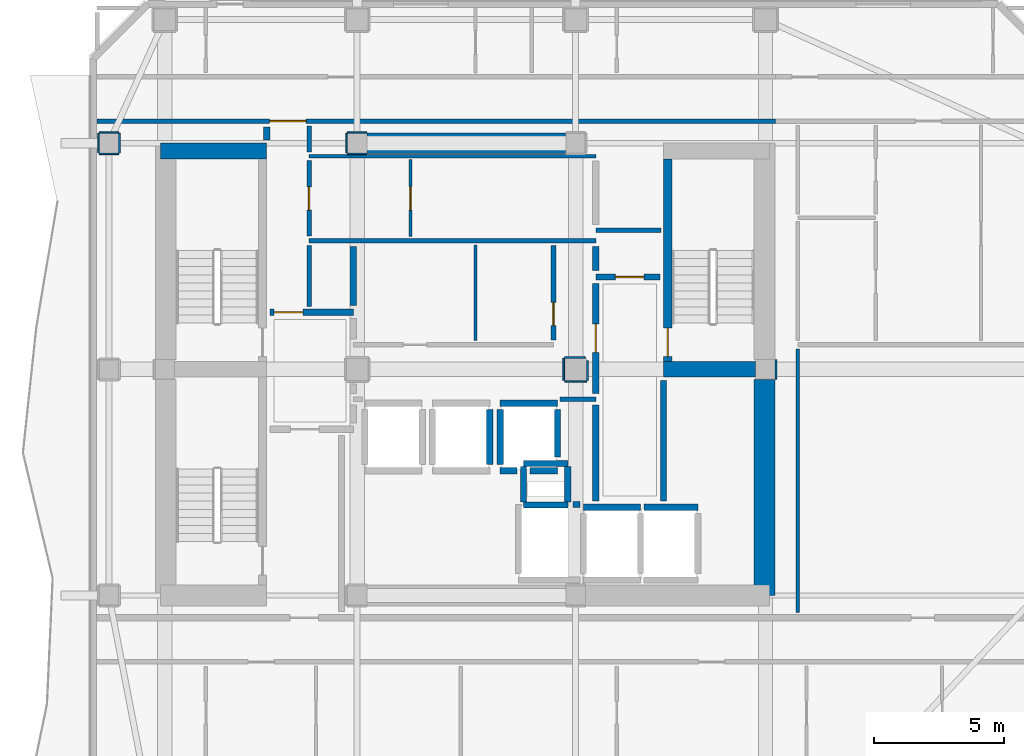
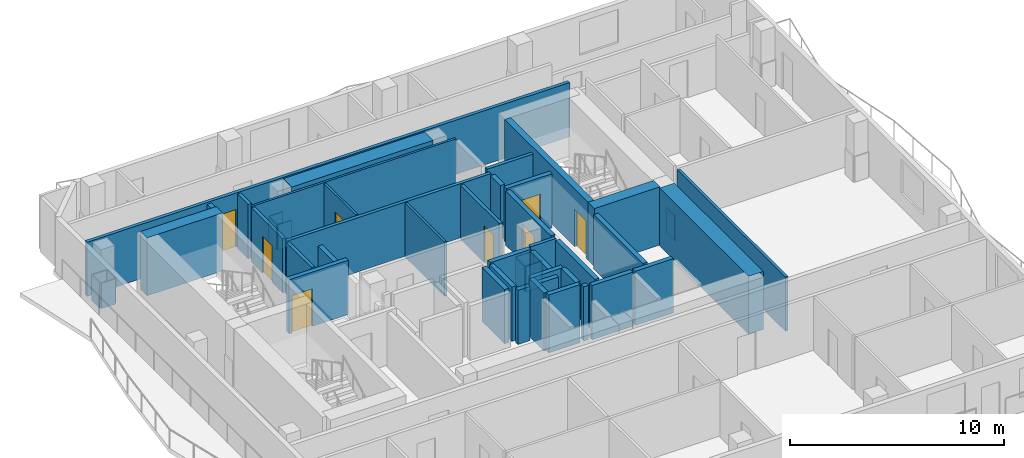
# One storey, part 4 of 9: 50 walls, 8 doors, 8 openings.
"""IFC4 building model written with IfcOpenShell, lengths in metres."""

from ifc_helpers import new_model, si_unit, direction, frame, frame_2d, origin, place, context, subcontext, project, spatial, rectangle, extrude, material, layer, layer_set, type_object, element, fill, save


model = new_model("IFC4")

# Units and contexts
model_context = context("Model", 3, precision=1e-05, world=origin(), true_north=direction((0.0, 1.0)))
body_context = subcontext(model_context, "Body", "Model", "MODEL_VIEW")
ifc_project = project(units=[si_unit("LENGTHUNIT", "METRE"), si_unit("AREAUNIT", "SQUARE_METRE"), si_unit("VOLUMEUNIT", "CUBIC_METRE"), si_unit("PLANEANGLEUNIT", "RADIAN"), si_unit("MASSUNIT", "GRAM", prefix="KILO")], contexts=[model_context])

# Site, building, storey
site_placement = place(None, origin())
site = spatial("IfcSite", under=ifc_project, at=site_placement, CompositionType="ELEMENT")
building_placement = place(site_placement, origin())
building = spatial("IfcBuilding", under=site, at=building_placement, Name="Solanera Arch Residences", CompositionType="ELEMENT")
storey_placement = place(building_placement, frame((0.0, 0.0, 213.39990234375)))
storey = spatial("IfcBuildingStorey", under=building, at=storey_placement, Name="L62", CompositionType="ELEMENT", Elevation=213.39990234375)

# Walls
ifc_material_1 = material(Name="Fire-Rated Gypsum Stud Partition", Category="gypsum")
ifc_layer_1 = layer(ifc_material_1, 0.06005859375)
ifc_layer_set_1 = layer_set([ifc_layer_1], Name="Fire-Rated Gypsum Stud Partition")
wall_type_1 = type_object("IfcWallType", Name="Column Acoustic Furring Wall 60", PredefinedType="PARTITIONING", material=ifc_layer_set_1)
for number, where, z_axis, x_axis, name in (
    (1, (20.425048828125, 38.992919921875, 0.0), (0.0, 0.0, 1.0), (1.0, 0.0, 0.0), "L62 Column Furring 3S"),
    (2, (20.425048828125, 39.806884765625, 0.0), (0.0, 0.0, 1.0), (1.0, 0.0, 0.0), "L62 Column Furring 3N"),
):
    element("IfcWall", number, at=place(storey_placement, frame(where, z_axis=z_axis, x_axis=x_axis)), inside=storey, type_object=wall_type_1, Name=name, PredefinedType="PARTITIONING", context=body_context, shape_type="SweptSolid", body=[
        extrude(rectangle(XDim=0.741943359375, YDim=0.06005859375, at=frame_2d((0.37109375, 0.0))), origin(), (0.0, 0.0, 1.0), 1.4501953125),
    ])
for number, where, z_axis, x_axis, name in (
    (3, (20.39306640625, 39.02490234375, 0.0), (0.0, 0.0, 1.0), (0.0, 1.0, 0.0), "L62 Column Furring 3W"),
    (4, (36.906982421875, 30.324951171875, 0.0), (0.0, 0.0, 1.0), (0.0, 1.0, 0.0), "L62 Column Furring 6E"),
):
    element("IfcWall", number, at=place(storey_placement, frame(where, z_axis=z_axis, x_axis=x_axis)), inside=storey, type_object=wall_type_1, Name=name, PredefinedType="PARTITIONING", context=body_context, shape_type="SweptSolid", body=[
        extrude(rectangle(XDim=0.75, YDim=0.06005859375, at=frame_2d((0.375, 0.0))), origin(), (0.0, 0.0, 1.0), 1.4501953125),
    ])
wall_1_placement = place(storey_placement, frame((28.77490234375, 30.242919921875, 0.0), z_axis=(0.0, 0.0, 1.0), x_axis=(1.0, 0.0, 0.0)))
element("IfcWall", 5, at=wall_1_placement, inside=storey, type_object=wall_type_1, Name="L62 Column Furring 8S", PredefinedType="PARTITIONING", context=body_context, shape_type="SweptSolid", body=[
    extrude(rectangle(XDim=0.85009765625, YDim=0.06005859375, at=frame_2d((0.425048828125, 0.0))), origin(), (0.0, 0.0, 1.0), 1.4501953125),
])
wall_2_placement = place(storey_placement, frame((28.77490234375, 31.156982421875, 0.0), z_axis=(0.0, 0.0, 1.0), x_axis=(1.0, 0.0, 0.0)))
element("IfcWall", 6, at=wall_2_placement, inside=storey, type_object=wall_type_1, Name="L62 Column Furring 8N", PredefinedType="PARTITIONING", context=body_context, shape_type="SweptSolid", body=[
    extrude(rectangle(XDim=0.794189453125, YDim=0.06005859375, at=frame_2d((0.39697265625, 0.0))), origin(), (0.0, 0.0, 1.0), 1.4501953125),
])
wall_3_placement = place(storey_placement, frame((28.742919921875, 30.27490234375, 0.0), z_axis=(0.0, 0.0, 1.0), x_axis=(0.0, 1.0, 0.0)))
element("IfcWall", 7, at=wall_3_placement, inside=storey, type_object=wall_type_1, Name="L62 Column Furring 8W", PredefinedType="PARTITIONING", context=body_context, shape_type="SweptSolid", body=[
    extrude(rectangle(XDim=0.85009765625, YDim=0.06005859375, at=frame_2d((0.425048828125, 0.0))), origin(), (0.0, 0.0, 1.0), 1.4501953125),
])
wall_4_placement = place(storey_placement, frame((29.656982421875, 30.27490234375, 0.0), z_axis=(0.0, 0.0, 1.0), x_axis=(0.0, 1.0, 0.0)))
element("IfcWall", 8, at=wall_4_placement, inside=storey, type_object=wall_type_1, Name="L62 Column Furring 8E", PredefinedType="PARTITIONING", context=body_context, shape_type="SweptSolid", body=[
    extrude(rectangle(XDim=0.757080078125, YDim=0.06005859375, at=frame_2d((0.37841796875, 0.0))), origin(), (0.0, 0.0, 1.0), 1.4501953125),
])
for number, where, z_axis, x_axis, name in (
    (9, (10.875, 38.992919921875, 0.0), (0.0, 0.0, 1.0), (1.0, 0.0, 0.0), "L62 Column Furring 21S"),
    (10, (10.875, 39.806884765625, 0.0), (0.0, 0.0, 1.0), (1.0, 0.0, 0.0), "L62 Column Furring 21N"),
    (11, (10.843017578125, 39.02490234375, 0.0), (0.0, 0.0, 1.0), (0.0, 1.0, 0.0), "L62 Column Furring 21W"),
    (12, (11.656982421875, 39.02490234375, 0.0), (0.0, 0.0, 1.0), (0.0, 1.0, 0.0), "L62 Column Furring 21E"),
):
    element("IfcWall", number, at=place(storey_placement, frame(where, z_axis=z_axis, x_axis=x_axis)), inside=storey, type_object=wall_type_1, Name=name, PredefinedType="PARTITIONING", context=body_context, shape_type="SweptSolid", body=[
        extrude(rectangle(XDim=0.75, YDim=0.06005859375, at=frame_2d((0.375, 0.0))), origin(), (0.0, 0.0, 1.0), 1.4501953125),
    ])

# Wall, opening, door
ifc_material_2 = material(Name="Concrete C40/50 (f'c = 45 MPa)", Category="concrete")
ifc_layer_2 = layer(ifc_material_2, 0.320068359375)
ifc_layer_set_2 = layer_set([ifc_layer_2], Name="Concrete C40/50 (f'c = 45 MPa)")
wall_type_2 = type_object("IfcWallType", Name="Core Shear Wall CW-320", PredefinedType="SHEAR", material=ifc_layer_set_2)
wall_5_placement = place(storey_placement, frame((32.739990234375, 31.0, 0.0), z_axis=(0.0, 0.0, 1.0), x_axis=(0.0, 1.0, 0.0)))
wall_5 = element("IfcWall", 13, at=wall_5_placement, inside=storey, type_object=wall_type_2, Name="L62 Stair ST-T2 West Shear Wall", PredefinedType="SHEAR", context=body_context, shape_type="SweptSolid", body=[
    extrude(rectangle(XDim=7.800048828125, YDim=0.320068359375, at=frame_2d((3.89990234375, 0.0))), origin(), (0.0, 0.0, 1.0), 3.320068359375),
])
opening_1_placement = place(wall_5_placement, frame((0.18994140625, 0.0, 0.0)))
opening_1 = element("IfcOpeningElement", 14, at=opening_1_placement, cuts=wall_5, Name="Opening DF-01", PredefinedType="OPENING", context=body_context, shape_type="SweptSolid", body=[
    extrude(rectangle(XDim=1.10009765625, YDim=2.14990234375, at=frame_2d((0.550048828125, 1.074951171875))), frame((0.0, 0.169921875, 0.0), z_axis=(0.0, -1.0, 0.0), x_axis=(1.0, 0.0, 0.0)), (0.0, 0.0, 1.0), 0.3401),
])
ifc_material_3 = material(Name="Fire-Rated Architectural Hardwood", Category="wood")
door_type_1 = type_object("IfcDoorType", Name="Stair Exit Fire Door DF-01", OperationType="NOTDEFINED", PredefinedType="DOOR", material=ifc_material_3)
door_1_placement = place(opening_1_placement, origin())
door_1 = element("IfcDoor", 15, at=door_1_placement, inside=storey, type_object=door_type_1, Name="DR-L62-STAIR-ST-T2", OperationType="SINGLE_SWING_LEFT", OverallHeight=2.14990234375, OverallWidth=1.10009765625, PredefinedType="DOOR", context=body_context, shape_type="SweptSolid", body=[
    extrude(rectangle(XDim=1.10009765625, YDim=2.14990234375, at=frame_2d((0.550048828125, 1.074951171875))), frame((0.0, 0.02490234375, 0.0), z_axis=(0.0, -1.0, 0.0), x_axis=(1.0, 0.0, 0.0)), (0.0, 0.0, 1.0), 0.050048828125),
])
fill(opening_1, door_1)

# Walls
ifc_material_4 = material(Name="Concrete C40/50 (f'c = 45 MPa)", Category="concrete")
ifc_layer_3 = layer(ifc_material_4, 0.60009765625)
ifc_layer_set_3 = layer_set([ifc_layer_3], Name="Concrete C40/50 (f'c = 45 MPa)")
wall_type_3 = type_object("IfcWallType", Name="Core Shear Wall CW-600", PredefinedType="SHEAR", material=ifc_layer_set_3)
wall_6_placement = place(storey_placement, frame((13.239990234375, 39.10009765625, 0.0), z_axis=(0.0, 0.0, 1.0), x_axis=(1.0, 0.0, 0.0)))
element("IfcWall", 16, at=wall_6_placement, inside=storey, type_object=wall_type_3, Name="L62 North-West Core Shear Wall", PredefinedType="SHEAR", context=body_context, shape_type="SweptSolid", body=[
    extrude(rectangle(XDim=4.080078125, YDim=0.60009765625, at=frame_2d((2.0400390625, 0.0))), origin(), (0.0, 0.0, 1.0), 3.320068359375),
])
wall_7_placement = place(storey_placement, frame((32.580078125, 30.699951171875, 0.0), z_axis=(0.0, 0.0, 1.0), x_axis=(1.0, 0.0, 0.0)))
element("IfcWall", 17, at=wall_7_placement, inside=storey, type_object=wall_type_3, Name="L62 East Stair Far-Landing Shear Wall", PredefinedType="SHEAR", context=body_context, shape_type="SweptSolid", body=[
    extrude(rectangle(XDim=3.5400390625, YDim=0.60009765625, at=frame_2d((1.77001953125, 0.0))), origin(), (0.0, 0.0, 1.0), 3.320068359375),
])
ifc_material_5 = material(Name="Concrete C40/50 (f'c = 45 MPa)", Category="concrete")
ifc_layer_4 = layer(ifc_material_5, 0.800048828125)
ifc_layer_set_4 = layer_set([ifc_layer_4], Name="Concrete C40/50 (f'c = 45 MPa)")
wall_type_4 = type_object("IfcWallType", Name="Core Shear Wall CW-800", PredefinedType="SHEAR", material=ifc_layer_set_4)
wall_8_placement = place(storey_placement, frame((36.4599609375, 22.0, 0.0), z_axis=(0.0, 0.0, 1.0), x_axis=(0.0, 1.0, 0.0)))
element("IfcWall", 18, at=wall_8_placement, inside=storey, type_object=wall_type_4, Name="L62 East Core South Shear Wall", PredefinedType="SHEAR", context=body_context, shape_type="SweptSolid", body=[
    extrude(rectangle(XDim=8.320068359375, YDim=0.800048828125, at=frame_2d((4.16015625, 0.0))), origin(), (0.0, 0.0, 1.0), 3.320068359375),
])
wall_9_placement = place(storey_placement, frame((21.179931640625, 39.39990234375, 0.0), z_axis=(0.0, 0.0, 1.0), x_axis=(1.0, 0.0, 0.0)))
element("IfcWall", 19, at=wall_9_placement, inside=storey, type_object=wall_type_4, Name="L62 Central North Core Shear Wall", PredefinedType="SHEAR", context=body_context, shape_type="SweptSolid", body=[
    extrude(rectangle(XDim=7.64013671875, YDim=0.800048828125, at=frame_2d((3.820068359375, 0.0))), origin(), (0.0, 0.0, 1.0), 3.320068359375),
])
ifc_material_6 = material(Name="Autoclaved Aerated Concrete Blockwork", Category="masonry")
ifc_layer_5 = layer(ifc_material_6, 0.179931640625)
ifc_layer_set_5 = layer_set([ifc_layer_5], Name="Autoclaved Aerated Concrete Blockwork")
wall_type_5 = type_object("IfcWallType", Name="Corridor Fire Partition 180", PredefinedType="PARTITIONING", material=ifc_layer_set_5)
wall_10_placement = place(storey_placement, frame((28.593017578125, 29.550048828125, 0.0), z_axis=(0.0, 0.0, 1.0), x_axis=(1.0, 0.0, 0.0)))
element("IfcWall", 20, at=wall_10_placement, inside=storey, type_object=wall_type_5, Name="L62 Interior Partition H7 2", PredefinedType="PARTITIONING", context=body_context, shape_type="SweptSolid", body=[
    extrude(rectangle(XDim=1.382080078125, YDim=0.179931640625, at=frame_2d((0.69091796875, 0.0))), origin(), (0.0, 0.0, 1.0), 3.10009765625),
])
wall_11_placement = place(storey_placement, frame((18.949951171875, 35.64990234375, 0.0), z_axis=(0.0, 0.0, 1.0), x_axis=(1.0, 0.0, 0.0)))
element("IfcWall", 21, at=wall_11_placement, inside=storey, type_object=wall_type_5, Name="L62 Interior Partition H10", PredefinedType="PARTITIONING", context=body_context, shape_type="SweptSolid", body=[
    extrude(rectangle(XDim=11.025146484375, YDim=0.179931640625, at=frame_2d((5.5126953125, 0.0))), origin(), (0.0, 0.0, 1.0), 3.10009765625),
])
wall_12_placement = place(storey_placement, frame((29.97509765625, 36.050048828125, 0.0), z_axis=(0.0, 0.0, 1.0), x_axis=(1.0, 0.0, 0.0)))
element("IfcWall", 22, at=wall_12_placement, inside=storey, type_object=wall_type_5, Name="L62 Interior Partition H11", PredefinedType="PARTITIONING", context=body_context, shape_type="SweptSolid", body=[
    extrude(rectangle(XDim=2.5048828125, YDim=0.179931640625, at=frame_2d((1.25244140625, 0.0))), origin(), (0.0, 0.0, 1.0), 3.10009765625),
])

# Wall, opening, door
wall_13_placement = place(storey_placement, frame((10.787109375, 40.25, 0.0), z_axis=(0.0, 0.0, 1.0), x_axis=(1.0, 0.0, 0.0)))
wall_13 = element("IfcWall", 23, at=wall_13_placement, inside=storey, type_object=wall_type_5, Name="L62 Interior Partition H12 1", PredefinedType="PARTITIONING", context=body_context, shape_type="SweptSolid", body=[
    extrude(rectangle(XDim=26.101806640625, YDim=0.179931640625, at=frame_2d((13.05078125, 0.0))), origin(), (0.0, 0.0, 1.0), 3.10009765625),
])
opening_2_placement = place(wall_13_placement, frame((6.64794921875, 0.0, 0.0)))
opening_2 = element("IfcOpeningElement", 24, at=opening_2_placement, cuts=wall_13, Name="Opening DF-03", PredefinedType="OPENING", context=body_context, shape_type="SweptSolid", body=[
    extrude(rectangle(XDim=1.39990234375, YDim=2.14990234375, at=frame_2d((0.699951171875, 1.074951171875))), frame((0.0, 0.10009765625, 0.0), z_axis=(0.0, -1.0, 0.0), x_axis=(1.0, 0.0, 0.0)), (0.0, 0.0, 1.0), 0.1999),
])
ifc_material_7 = material(Name="Fire-Rated Architectural Hardwood", Category="wood")
door_type_2 = type_object("IfcDoorType", Name="Corridor Smoke Door DF-03", OperationType="NOTDEFINED", PredefinedType="DOOR", material=ifc_material_7)
door_2_placement = place(opening_2_placement, origin())
door_2 = element("IfcDoor", 25, at=door_2_placement, inside=storey, type_object=door_type_2, Name="DR-L62-IN-009", OperationType="SINGLE_SWING_RIGHT", OverallHeight=2.14990234375, OverallWidth=1.39990234375, PredefinedType="DOOR", context=body_context, shape_type="SweptSolid", body=[
    extrude(rectangle(XDim=1.39990234375, YDim=2.14990234375, at=frame_2d((0.699951171875, 1.074951171875))), frame((0.0, 0.02490234375, 0.0), z_axis=(0.0, -1.0, 0.0), x_axis=(1.0, 0.0, 0.0)), (0.0, 0.0, 1.0), 0.050048828125),
])
fill(opening_2, door_2)

# Wall
wall_14_placement = place(storey_placement, frame((18.949951171875, 33.117919921875, 0.0), z_axis=(0.0, 0.0, 1.0), x_axis=(0.0, 1.0, 0.0)))
element("IfcWall", 26, at=wall_14_placement, inside=storey, type_object=wall_type_5, Name="L62 Interior Partition V8 1", PredefinedType="PARTITIONING", context=body_context, shape_type="SweptSolid", body=[
    extrude(rectangle(XDim=2.343994140625, YDim=0.179931640625, at=frame_2d((1.171875, 0.0))), origin(), (0.0, 0.0, 1.0), 3.10009765625),
])

# Wall, opening, door
wall_15_placement = place(storey_placement, frame((18.949951171875, 35.837890625, 0.0), z_axis=(0.0, 0.0, 1.0), x_axis=(0.0, 1.0, 0.0)))
wall_15 = element("IfcWall", 27, at=wall_15_placement, inside=storey, type_object=wall_type_5, Name="L62 Interior Partition V8 2", PredefinedType="PARTITIONING", context=body_context, shape_type="SweptSolid", body=[
    extrude(rectangle(XDim=2.904052734375, YDim=0.179931640625, at=frame_2d((1.4521484375, 0.0))), origin(), (0.0, 0.0, 1.0), 3.10009765625),
])
opening_3_placement = place(wall_15_placement, frame((0.987060546875, 0.0, 0.0)))
opening_3 = element("IfcOpeningElement", 28, at=opening_3_placement, cuts=wall_15, Name="Opening DI-02", PredefinedType="OPENING", context=body_context, shape_type="SweptSolid", body=[
    extrude(rectangle(XDim=0.89990234375, YDim=2.10009765625, at=frame_2d((0.449951171875, 1.050048828125))), frame((0.0, 0.10009765625, 0.0), z_axis=(0.0, -1.0, 0.0), x_axis=(1.0, 0.0, 0.0)), (0.0, 0.0, 1.0), 0.1999),
])
ifc_material_8 = material(Name="Fire-Rated Architectural Hardwood", Category="wood")
door_type_3 = type_object("IfcDoorType", Name="Suite Room Swing Door DI-02", OperationType="NOTDEFINED", PredefinedType="DOOR", material=ifc_material_8)
door_3_placement = place(opening_3_placement, origin())
door_3 = element("IfcDoor", 29, at=door_3_placement, inside=storey, type_object=door_type_3, Name="DR-L62-IN-010", OperationType="SINGLE_SWING_LEFT", OverallHeight=2.10009765625, OverallWidth=0.89990234375, PredefinedType="DOOR", context=body_context, shape_type="SweptSolid", body=[
    extrude(rectangle(XDim=0.89990234375, YDim=2.10009765625, at=frame_2d((0.449951171875, 1.050048828125))), frame((0.0, 0.02490234375, 0.0), z_axis=(0.0, -1.0, 0.0), x_axis=(1.0, 0.0, 0.0)), (0.0, 0.0, 1.0), 0.050048828125),
])
fill(opening_3, door_3)

# Wall
wall_16_placement = place(storey_placement, frame((18.949951171875, 39.05810546875, 0.0), z_axis=(0.0, 0.0, 1.0), x_axis=(0.0, 1.0, 0.0)))
element("IfcWall", 30, at=wall_16_placement, inside=storey, type_object=wall_type_5, Name="L62 Interior Partition V8 3", PredefinedType="PARTITIONING", context=body_context, shape_type="SweptSolid", body=[
    extrude(rectangle(XDim=1.00390625, YDim=0.179931640625, at=frame_2d((0.501953125, 0.0))), origin(), (0.0, 0.0, 1.0), 3.10009765625),
])

# Wall, opening, door
wall_17_placement = place(storey_placement, frame((28.35009765625, 31.837890625, 0.0), z_axis=(0.0, 0.0, 1.0), x_axis=(0.0, 1.0, 0.0)))
wall_17 = element("IfcWall", 31, at=wall_17_placement, inside=storey, type_object=wall_type_5, Name="L62 Interior Partition V9", PredefinedType="PARTITIONING", context=body_context, shape_type="SweptSolid", body=[
    extrude(rectangle(XDim=3.6240234375, YDim=0.179931640625, at=frame_2d((1.81201171875, 0.0))), origin(), (0.0, 0.0, 1.0), 3.10009765625),
])
opening_4_placement = place(wall_17_placement, frame((0.541015625, 0.0, 0.0)))
opening_4 = element("IfcOpeningElement", 32, at=opening_4_placement, cuts=wall_17, Name="Opening DI-02", PredefinedType="OPENING", context=body_context, shape_type="SweptSolid", body=[
    extrude(rectangle(XDim=0.89990234375, YDim=2.10009765625, at=frame_2d((0.449951171875, 1.050048828125))), frame((0.0, 0.10009765625, 0.0), z_axis=(0.0, -1.0, 0.0), x_axis=(1.0, 0.0, 0.0)), (0.0, 0.0, 1.0), 0.1999),
])
door_4_placement = place(opening_4_placement, origin())
door_4 = element("IfcDoor", 33, at=door_4_placement, inside=storey, type_object=door_type_3, Name="DR-L62-IN-013", OperationType="SINGLE_SWING_RIGHT", OverallHeight=2.10009765625, OverallWidth=0.89990234375, PredefinedType="DOOR", context=body_context, shape_type="SweptSolid", body=[
    extrude(rectangle(XDim=0.89990234375, YDim=2.10009765625, at=frame_2d((0.449951171875, 1.050048828125))), frame((0.0, 0.02490234375, 0.0), z_axis=(0.0, -1.0, 0.0), x_axis=(1.0, 0.0, 0.0)), (0.0, 0.0, 1.0), 0.050048828125),
])
fill(opening_4, door_4)

# Walls
ifc_material_9 = material(Name="Concrete C40/50 (f'c = 45 MPa)", Category="concrete")
ifc_layer_6 = layer(ifc_material_9, 0.239990234375)
ifc_layer_set_6 = layer_set([ifc_layer_6], Name="Concrete C40/50 (f'c = 45 MPa)")
wall_type_6 = type_object("IfcWallType", Name="Ramp Bearing Shear Wall RW-240", PredefinedType="SHEAR", material=ifc_layer_set_6)
for number, where, z_axis, x_axis, name in (
    (34, (27.199951171875, 25.47998046875, 0.0), (0.0, 0.0, 1.0), (1.0, 0.0, 0.0), "L62 Core MEP Riser South Shaft Wall"),
    (35, (27.199951171875, 27.080078125, 0.0), (0.0, 0.0, 1.0), (1.0, 0.0, 0.0), "L62 Core MEP Riser North Shaft Wall"),
):
    element("IfcWall", number, at=place(storey_placement, frame(where, z_axis=z_axis, x_axis=x_axis)), inside=storey, type_object=wall_type_6, Name=name, PredefinedType="SHEAR", context=body_context, shape_type="SweptSolid", body=[
        extrude(rectangle(XDim=1.699951171875, YDim=0.239990234375, at=frame_2d((0.85009765625, 0.0))), origin(), (0.0, 0.0, 1.0), 3.320068359375),
    ])
for number, where, z_axis, x_axis, name in (
    (36, (27.199951171875, 25.60009765625, 0.0), (0.0, 0.0, 1.0), (0.0, 1.0, 0.0), "L62 Core MEP Riser West Shaft Wall"),
    (37, (28.89990234375, 25.60009765625, 0.0), (0.0, 0.0, 1.0), (0.0, 1.0, 0.0), "L62 Core MEP Riser East Shaft Wall"),
):
    element("IfcWall", number, at=place(storey_placement, frame(where, z_axis=z_axis, x_axis=x_axis)), inside=storey, type_object=wall_type_6, Name=name, PredefinedType="SHEAR", context=body_context, shape_type="SweptSolid", body=[
        extrude(rectangle(XDim=1.35986328125, YDim=0.239990234375, at=frame_2d((0.679931640625, 0.0))), origin(), (0.0, 0.0, 1.0), 3.320068359375),
    ])
ifc_material_10 = material(Name="Autoclaved Aerated Concrete Blockwork", Category="masonry")
ifc_layer_7 = layer(ifc_material_10, 0.239990234375)
ifc_layer_set_7 = layer_set([ifc_layer_7], Name="Autoclaved Aerated Concrete Blockwork")
wall_type_7 = type_object("IfcWallType", Name="Shaft Wall Fire-Rated 240", PredefinedType="PARTITIONING", material=ifc_layer_set_7)
wall_18_placement = place(storey_placement, frame((25.89990234375, 27.048095703125, 0.0), z_axis=(0.0, 0.0, 1.0), x_axis=(0.0, 1.0, 0.0)))
element("IfcWall", 38, at=wall_18_placement, inside=storey, type_object=wall_type_7, Name="L62 Lift PL-H2 Hoistway Wall E", PredefinedType="PARTITIONING", context=body_context, shape_type="SweptSolid", body=[
    extrude(rectangle(XDim=2.10400390625, YDim=0.239990234375, at=frame_2d((1.052001953125, 0.0))), origin(), (0.0, 0.0, 1.0), 3.10009765625),
])
wall_19_placement = place(storey_placement, frame((26.300048828125, 26.800048828125, 0.0), z_axis=(0.0, 0.0, 1.0), x_axis=(1.0, 0.0, 0.0)))
element("IfcWall", 39, at=wall_19_placement, inside=storey, type_object=wall_type_7, Name="L62 Lift PL-H3 Hoistway Wall S 1", PredefinedType="PARTITIONING", context=body_context, shape_type="SweptSolid", body=[
    extrude(rectangle(XDim=0.64990234375, YDim=0.239990234375, at=frame_2d((0.324951171875, 0.0))), origin(), (0.0, 0.0, 1.0), 3.10009765625),
])
wall_20_placement = place(storey_placement, frame((27.449951171875, 26.800048828125, 0.0), z_axis=(0.0, 0.0, 1.0), x_axis=(1.0, 0.0, 0.0)))
element("IfcWall", 40, at=wall_20_placement, inside=storey, type_object=wall_type_7, Name="L62 Lift PL-H3 Hoistway Wall S 2", PredefinedType="PARTITIONING", context=body_context, shape_type="SweptSolid", body=[
    extrude(rectangle(XDim=1.050048828125, YDim=0.239990234375, at=frame_2d((0.52490234375, 0.0))), origin(), (0.0, 0.0, 1.0), 3.10009765625),
])
wall_21_placement = place(storey_placement, frame((26.300048828125, 29.39990234375, 0.0), z_axis=(0.0, 0.0, 1.0), x_axis=(1.0, 0.0, 0.0)))
element("IfcWall", 41, at=wall_21_placement, inside=storey, type_object=wall_type_7, Name="L62 Lift PL-H3 Hoistway Wall N", PredefinedType="PARTITIONING", context=body_context, shape_type="SweptSolid", body=[
    extrude(rectangle(XDim=2.199951171875, YDim=0.239990234375, at=frame_2d((1.10009765625, 0.0))), origin(), (0.0, 0.0, 1.0), 3.10009765625),
])
wall_22_placement = place(storey_placement, frame((26.300048828125, 27.048095703125, 0.0), z_axis=(0.0, 0.0, 1.0), x_axis=(0.0, 1.0, 0.0)))
element("IfcWall", 42, at=wall_22_placement, inside=storey, type_object=wall_type_7, Name="L62 Lift PL-H3 Hoistway Wall W", PredefinedType="PARTITIONING", context=body_context, shape_type="SweptSolid", body=[
    extrude(rectangle(XDim=2.10400390625, YDim=0.239990234375, at=frame_2d((1.052001953125, 0.0))), origin(), (0.0, 0.0, 1.0), 3.10009765625),
])
wall_23_placement = place(storey_placement, frame((28.5, 27.330078125, 0.0), z_axis=(0.0, 0.0, 1.0), x_axis=(0.0, 1.0, 0.0)))
element("IfcWall", 43, at=wall_23_placement, inside=storey, type_object=wall_type_7, Name="L62 Lift PL-H3 Hoistway Wall E", PredefinedType="PARTITIONING", context=body_context, shape_type="SweptSolid", body=[
    extrude(rectangle(XDim=1.822021484375, YDim=0.239990234375, at=frame_2d((0.9111328125, 0.0))), origin(), (0.0, 0.0, 1.0), 3.10009765625),
])
wall_24_placement = place(storey_placement, frame((29.5, 25.39990234375, 0.0), z_axis=(0.0, 0.0, 1.0), x_axis=(1.0, 0.0, 0.0)))
element("IfcWall", 44, at=wall_24_placement, inside=storey, type_object=wall_type_7, Name="L62 Lift FFL-1 Hoistway Wall N", PredefinedType="PARTITIONING", context=body_context, shape_type="SweptSolid", body=[
    extrude(rectangle(XDim=2.199951171875, YDim=0.239990234375, at=frame_2d((1.10009765625, 0.0))), origin(), (0.0, 0.0, 1.0), 3.10009765625),
])
wall_25_placement = place(storey_placement, frame((31.827880859375, 25.39990234375, 0.0), z_axis=(0.0, 0.0, 1.0), x_axis=(1.0, 0.0, 0.0)))
element("IfcWall", 45, at=wall_25_placement, inside=storey, type_object=wall_type_7, Name="L62 Lift FFL-2 Hoistway Wall N", PredefinedType="PARTITIONING", context=body_context, shape_type="SweptSolid", body=[
    extrude(rectangle(XDim=2.072021484375, YDim=0.239990234375, at=frame_2d((1.0361328125, 0.0))), origin(), (0.0, 0.0, 1.0), 3.10009765625),
])
wall_26_placement = place(storey_placement, frame((29.10302734375, 25.5, 0.0), z_axis=(0.0, 0.0, 1.0), x_axis=(1.0, 0.0, 0.0)))
element("IfcWall", 46, at=wall_26_placement, inside=storey, type_object=wall_type_7, Name="L62 Lift SVL-1 Hoistway Wall N", PredefinedType="PARTITIONING", context=body_context, shape_type="SweptSolid", body=[
    extrude(rectangle(XDim=0.26904296875, YDim=0.239990234375, at=frame_2d((0.134521484375, 0.0))), origin(), (0.0, 0.0, 1.0), 3.10009765625),
])

# Wall, opening, door
wall_27_placement = place(storey_placement, frame((17.449951171875, 32.89990234375, 0.0), z_axis=(0.0, 0.0, 1.0), x_axis=(1.0, 0.0, 0.0)))
wall_27 = element("IfcWall", 47, at=wall_27_placement, inside=storey, type_object=wall_type_7, Name="L62 Interior Partition H4", PredefinedType="PARTITIONING", context=body_context, shape_type="SweptSolid", body=[
    extrude(rectangle(XDim=3.199951171875, YDim=0.239990234375, at=frame_2d((1.60009765625, 0.0))), origin(), (0.0, 0.0, 1.0), 3.10009765625),
])
opening_5_placement = place(wall_27_placement, frame((0.158935546875, 0.0, 0.0)))
opening_5 = element("IfcOpeningElement", 48, at=opening_5_placement, cuts=wall_27, Name="Opening DF-02", PredefinedType="OPENING", context=body_context, shape_type="SweptSolid", body=[
    extrude(rectangle(XDim=1.10009765625, YDim=2.14990234375, at=frame_2d((0.550048828125, 1.074951171875))), frame((0.0, 0.1298828125, 0.0), z_axis=(0.0, -1.0, 0.0), x_axis=(1.0, 0.0, 0.0)), (0.0, 0.0, 1.0), 0.26),
])
ifc_material_11 = material(Name="Fire-Rated Architectural Hardwood", Category="wood")
door_type_4 = type_object("IfcDoorType", Name="Firefighting Lobby Fire Door DF-02", OperationType="NOTDEFINED", PredefinedType="DOOR", material=ifc_material_11)
door_5_placement = place(opening_5_placement, origin())
door_5 = element("IfcDoor", 49, at=door_5_placement, inside=storey, type_object=door_type_4, Name="DR-L62-IN-005", OperationType="SINGLE_SWING_RIGHT", OverallHeight=2.14990234375, OverallWidth=1.10009765625, PredefinedType="DOOR", context=body_context, shape_type="SweptSolid", body=[
    extrude(rectangle(XDim=1.10009765625, YDim=2.14990234375, at=frame_2d((0.550048828125, 1.074951171875))), frame((0.0, 0.02490234375, 0.0), z_axis=(0.0, -1.0, 0.0), x_axis=(1.0, 0.0, 0.0)), (0.0, 0.0, 1.0), 0.050048828125),
])
fill(opening_5, door_5)

wall_28_placement = place(storey_placement, frame((29.97509765625, 34.25, 0.0), z_axis=(0.0, 0.0, 1.0), x_axis=(1.0, 0.0, 0.0)))
wall_28 = element("IfcWall", 50, at=wall_28_placement, inside=storey, type_object=wall_type_7, Name="L62 Interior Partition H5", PredefinedType="PARTITIONING", context=body_context, shape_type="SweptSolid", body=[
    extrude(rectangle(XDim=2.474853515625, YDim=0.239990234375, at=frame_2d((1.2373046875, 0.0))), origin(), (0.0, 0.0, 1.0), 3.10009765625),
])
opening_6_placement = place(wall_28_placement, frame((0.751953125, 0.0, 0.0)))
opening_6 = element("IfcOpeningElement", 51, at=opening_6_placement, cuts=wall_28, Name="Opening DF-02", PredefinedType="OPENING", context=body_context, shape_type="SweptSolid", body=[
    extrude(rectangle(XDim=1.10009765625, YDim=2.14990234375, at=frame_2d((0.550048828125, 1.074951171875))), frame((0.0, 0.1298828125, 0.0), z_axis=(0.0, -1.0, 0.0), x_axis=(1.0, 0.0, 0.0)), (0.0, 0.0, 1.0), 0.26),
])
door_6_placement = place(opening_6_placement, origin())
door_6 = element("IfcDoor", 52, at=door_6_placement, inside=storey, type_object=door_type_4, Name="DR-L62-IN-007", OperationType="SINGLE_SWING_RIGHT", OverallHeight=2.14990234375, OverallWidth=1.10009765625, PredefinedType="DOOR", context=body_context, shape_type="SweptSolid", body=[
    extrude(rectangle(XDim=1.10009765625, YDim=2.14990234375, at=frame_2d((0.550048828125, 1.074951171875))), frame((0.0, 0.02490234375, 0.0), z_axis=(0.0, -1.0, 0.0), x_axis=(1.0, 0.0, 0.0)), (0.0, 0.0, 1.0), 0.050048828125),
])
fill(opening_6, door_6)

# Walls
wall_29_placement = place(storey_placement, frame((17.320068359375, 39.530029296875, 0.0), z_axis=(0.0, 0.0, 1.0), x_axis=(0.0, 1.0, 0.0)))
element("IfcWall", 53, at=wall_29_placement, inside=storey, type_object=wall_type_7, Name="L62 Interior Partition V1", PredefinedType="PARTITIONING", context=body_context, shape_type="SweptSolid", body=[
    extrude(rectangle(XDim=0.501953125, YDim=0.239990234375, at=frame_2d((0.2509765625, 0.0))), origin(), (0.0, 0.0, 1.0), 3.10009765625),
])
wall_30_placement = place(storey_placement, frame((20.64990234375, 33.14794921875, 0.0), z_axis=(0.0, 0.0, 1.0), x_axis=(0.0, 1.0, 0.0)))
element("IfcWall", 54, at=wall_30_placement, inside=storey, type_object=wall_type_7, Name="L62 Interior Partition V3 4", PredefinedType="PARTITIONING", context=body_context, shape_type="SweptSolid", body=[
    extrude(rectangle(XDim=2.283935546875, YDim=0.239990234375, at=frame_2d((1.14208984375, 0.0))), origin(), (0.0, 0.0, 1.0), 2.335205078125),
])
wall_31_placement = place(storey_placement, frame((29.97509765625, 25.64794921875, 0.0), z_axis=(0.0, 0.0, 1.0), x_axis=(0.0, 1.0, 0.0)))
element("IfcWall", 55, at=wall_31_placement, inside=storey, type_object=wall_type_7, Name="L62 Interior Partition V4 1", PredefinedType="PARTITIONING", context=body_context, shape_type="SweptSolid", body=[
    extrude(rectangle(XDim=3.68408203125, YDim=0.239990234375, at=frame_2d((1.842041015625, 0.0))), origin(), (0.0, 0.0, 1.0), 3.10009765625),
])

# Wall, opening, door
wall_32_placement = place(storey_placement, frame((29.97509765625, 29.76806640625, 0.0), z_axis=(0.0, 0.0, 1.0), x_axis=(0.0, 1.0, 0.0)))
wall_32 = element("IfcWall", 56, at=wall_32_placement, inside=storey, type_object=wall_type_7, Name="L62 Interior Partition V4 2", PredefinedType="PARTITIONING", context=body_context, shape_type="SweptSolid", body=[
    extrude(rectangle(XDim=4.23388671875, YDim=0.239990234375, at=frame_2d((2.116943359375, 0.0))), origin(), (0.0, 0.0, 1.0), 3.10009765625),
])
opening_7_placement = place(wall_32_placement, frame((1.58203125, 0.0, 0.0)))
opening_7 = element("IfcOpeningElement", 57, at=opening_7_placement, cuts=wall_32, Name="Opening DF-02", PredefinedType="OPENING", context=body_context, shape_type="SweptSolid", body=[
    extrude(rectangle(XDim=1.10009765625, YDim=2.14990234375, at=frame_2d((0.550048828125, 1.074951171875))), frame((0.0, 0.1298828125, 0.0), z_axis=(0.0, -1.0, 0.0), x_axis=(1.0, 0.0, 0.0)), (0.0, 0.0, 1.0), 0.26),
])
door_7_placement = place(opening_7_placement, origin())
door_7 = element("IfcDoor", 58, at=door_7_placement, inside=storey, type_object=door_type_4, Name="DR-L62-IN-006", OperationType="SINGLE_SWING_LEFT", OverallHeight=2.14990234375, OverallWidth=1.10009765625, PredefinedType="DOOR", context=body_context, shape_type="SweptSolid", body=[
    extrude(rectangle(XDim=1.10009765625, YDim=2.14990234375, at=frame_2d((0.550048828125, 1.074951171875))), frame((0.0, 0.02490234375, 0.0), z_axis=(0.0, -1.0, 0.0), x_axis=(1.0, 0.0, 0.0)), (0.0, 0.0, 1.0), 0.050048828125),
])
fill(opening_7, door_7)

# Walls
wall_33_placement = place(storey_placement, frame((29.97509765625, 34.498046875, 0.0), z_axis=(0.0, 0.0, 1.0), x_axis=(0.0, 1.0, 0.0)))
element("IfcWall", 59, at=wall_33_placement, inside=storey, type_object=wall_type_7, Name="L62 Interior Partition V4 3", PredefinedType="PARTITIONING", context=body_context, shape_type="SweptSolid", body=[
    extrude(rectangle(XDim=0.933837890625, YDim=0.239990234375, at=frame_2d((0.466796875, 0.0))), origin(), (0.0, 0.0, 1.0), 3.10009765625),
])
wall_34_placement = place(storey_placement, frame((32.580078125, 25.64794921875, 0.0), z_axis=(0.0, 0.0, 1.0), x_axis=(0.0, 1.0, 0.0)))
element("IfcWall", 60, at=wall_34_placement, inside=storey, type_object=wall_type_7, Name="L62 Interior Partition V5", PredefinedType="PARTITIONING", context=body_context, shape_type="SweptSolid", body=[
    extrude(rectangle(XDim=4.6220703125, YDim=0.239990234375, at=frame_2d((2.31103515625, 0.0))), origin(), (0.0, 0.0, 1.0), 3.10009765625),
])
ifc_material_12 = material(Name="Fire-Rated Gypsum Stud Partition", Category="gypsum")
ifc_layer_8 = layer(ifc_material_12, 0.1201171875)
ifc_layer_set_8 = layer_set([ifc_layer_8], Name="Fire-Rated Gypsum Stud Partition")
wall_type_8 = type_object("IfcWallType", Name="Unit Drywall Partition 120", PredefinedType="PARTITIONING", material=ifc_layer_set_8)
wall_35_placement = place(storey_placement, frame((18.949951171875, 38.89990234375, 0.0), z_axis=(0.0, 0.0, 1.0), x_axis=(1.0, 0.0, 0.0)))
element("IfcWall", 61, at=wall_35_placement, inside=storey, type_object=wall_type_8, Name="L62 Interior Partition H20", PredefinedType="PARTITIONING", context=body_context, shape_type="SweptSolid", body=[
    extrude(rectangle(XDim=11.025146484375, YDim=0.1201171875, at=frame_2d((5.5126953125, 0.0))), origin(), (0.0, 0.0, 1.0), 3.10009765625),
])

# Wall, opening, door
wall_36_placement = place(storey_placement, frame((22.85009765625, 35.80810546875, 0.0), z_axis=(0.0, 0.0, 1.0), x_axis=(0.0, 1.0, 0.0)))
wall_36 = element("IfcWall", 62, at=wall_36_placement, inside=storey, type_object=wall_type_8, Name="L62 Interior Partition V20", PredefinedType="PARTITIONING", context=body_context, shape_type="SweptSolid", body=[
    extrude(rectangle(XDim=2.9638671875, YDim=0.1201171875, at=frame_2d((1.48193359375, 0.0))), origin(), (0.0, 0.0, 1.0), 3.10009765625),
])
opening_8_placement = place(wall_36_placement, frame((1.01708984375, 0.0, 0.0)))
opening_8 = element("IfcOpeningElement", 63, at=opening_8_placement, cuts=wall_36, Name="Opening DI-02", PredefinedType="OPENING", context=body_context, shape_type="SweptSolid", body=[
    extrude(rectangle(XDim=0.89990234375, YDim=2.10009765625, at=frame_2d((0.449951171875, 1.050048828125))), frame((0.0, 0.070068359375, 0.0), z_axis=(0.0, -1.0, 0.0), x_axis=(1.0, 0.0, 0.0)), (0.0, 0.0, 1.0), 0.1401),
])
door_8_placement = place(opening_8_placement, origin())
door_8 = element("IfcDoor", 64, at=door_8_placement, inside=storey, type_object=door_type_3, Name="DR-L62-IN-011", OperationType="SINGLE_SWING_RIGHT", OverallHeight=2.10009765625, OverallWidth=0.89990234375, PredefinedType="DOOR", context=body_context, shape_type="SweptSolid", body=[
    extrude(rectangle(XDim=0.89990234375, YDim=2.10009765625, at=frame_2d((0.449951171875, 1.050048828125))), frame((0.0, 0.02490234375, 0.0), z_axis=(0.0, -1.0, 0.0), x_axis=(1.0, 0.0, 0.0)), (0.0, 0.0, 1.0), 0.050048828125),
])
fill(opening_8, door_8)

# Walls
wall_37_placement = place(storey_placement, frame((25.35009765625, 31.80810546875, 0.0), z_axis=(0.0, 0.0, 1.0), x_axis=(0.0, 1.0, 0.0)))
element("IfcWall", 65, at=wall_37_placement, inside=storey, type_object=wall_type_8, Name="L62 Interior Partition V21", PredefinedType="PARTITIONING", context=body_context, shape_type="SweptSolid", body=[
    extrude(rectangle(XDim=3.683837890625, YDim=0.1201171875, at=frame_2d((1.841796875, 0.0))), origin(), (0.0, 0.0, 1.0), 3.10009765625),
])
ifc_material_13 = material(Name="Autoclaved Aerated Concrete Blockwork", Category="masonry")
ifc_layer_9 = layer(ifc_material_13, 0.139892578125)
ifc_layer_set_9 = layer_set([ifc_layer_9], Name="Autoclaved Aerated Concrete Blockwork")
wall_type_9 = type_object("IfcWallType", Name="Wet-Room Partition 140", PredefinedType="PARTITIONING", material=ifc_layer_set_9)
wall_38_placement = place(storey_placement, frame((37.75, 21.347900390625, 0.0), z_axis=(0.0, 0.0, 1.0), x_axis=(0.0, 1.0, 0.0)))
element("IfcWall", 66, at=wall_38_placement, inside=storey, type_object=wall_type_9, Name="L62 Interior Partition V17 1", PredefinedType="PARTITIONING", context=body_context, shape_type="SweptSolid", body=[
    extrude(rectangle(XDim=10.134033203125, YDim=0.139892578125, at=frame_2d((5.06689453125, 0.0))), origin(), (0.0, 0.0, 1.0), 3.10009765625),
])

save(model, "model.ifc")
